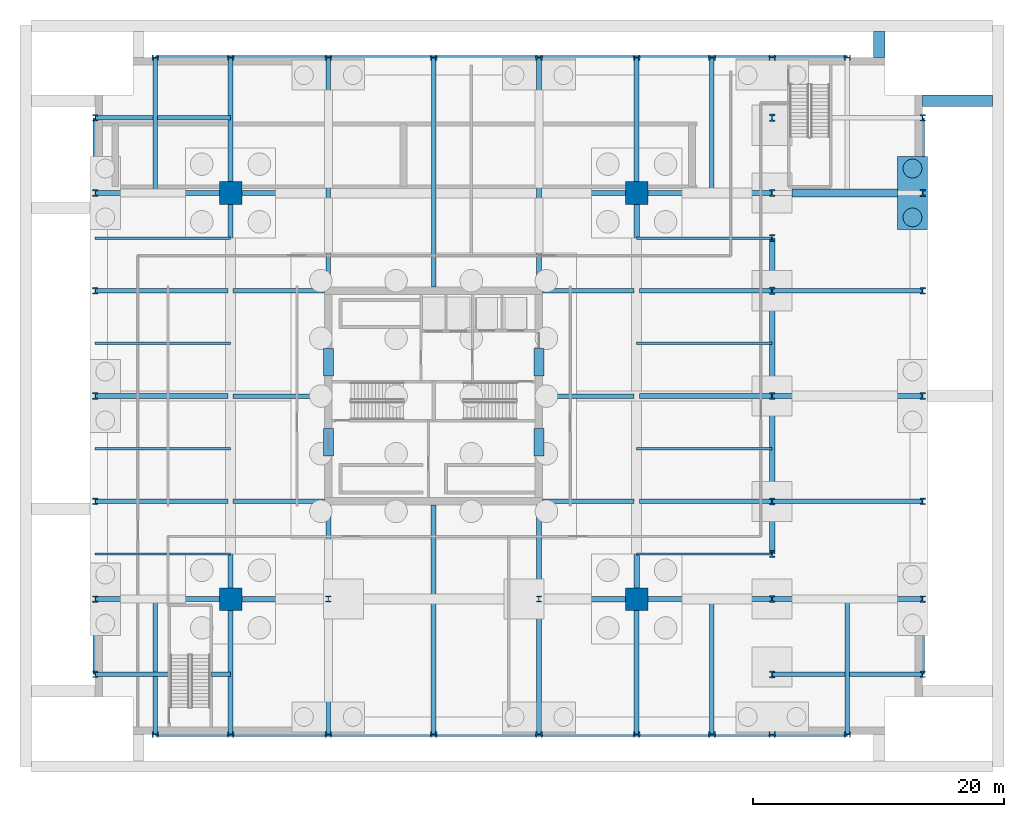
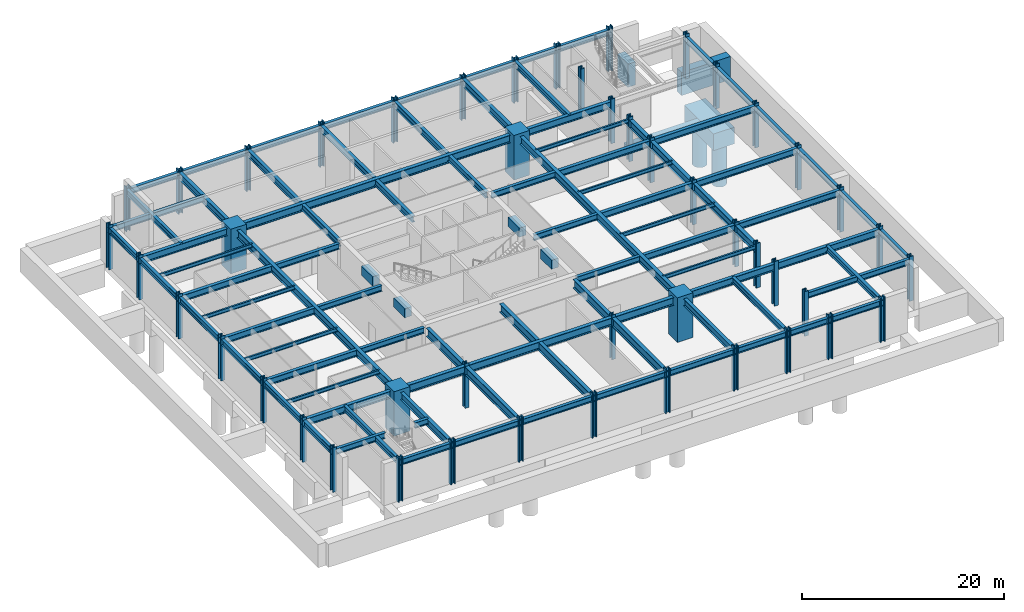
# One storey, part 2 of 9: 60 beams, 47 columns, 4 footings, 2 piles.
"""IFC4 building model written with IfcOpenShell, lengths in metres."""

from ifc_helpers import new_model, si_unit, direction, frame, frame_2d, origin, origin_2d, place, context, subcontext, project, spatial, rectangle, circle, i_section, extrude, material, material_profile, profile_set, type_object, element, save


model = new_model("IFC4")

# Units and contexts
model_context = context("Model", 3, precision=1e-05, world=origin(), true_north=direction((0.0, 1.0)))
body_context = subcontext(model_context, "Body", "Model", "MODEL_VIEW")
ifc_project = project(units=[si_unit("LENGTHUNIT", "METRE"), si_unit("AREAUNIT", "SQUARE_METRE"), si_unit("VOLUMEUNIT", "CUBIC_METRE"), si_unit("PLANEANGLEUNIT", "RADIAN"), si_unit("MASSUNIT", "GRAM", prefix="KILO")], contexts=[model_context])

# Site, building, storey
site_placement = place(None, origin())
site = spatial("IfcSite", under=ifc_project, at=site_placement, CompositionType="ELEMENT")
building_placement = place(site_placement, origin())
building = spatial("IfcBuilding", under=site, at=building_placement, Name="Drelvath Grand Hotel", CompositionType="ELEMENT")
storey_placement = place(building_placement, frame((0.0, 0.0, -10.800048828125)))
storey = spatial("IfcBuildingStorey", under=building, at=storey_placement, Name="B2", CompositionType="ELEMENT", Elevation=-10.800048828125)

# Piles
ifc_material_1 = material(Name="Concrete f'c 55 MPa", Category="concrete")
ifc_material_profile_1 = material_profile(ifc_material_1, circle(Radius=0.75, at=origin_2d()), Name="CAISSON1500")
ifc_profile_set_1 = profile_set([ifc_material_profile_1], Name="Concrete f'c 55 MPa")
pile_type = type_object("IfcPileType", Name="Bored Rock-Socketed Caisson 1500", PredefinedType="BORED", material=ifc_profile_set_1)
for number, where, z_axis, x_axis, name in (
    (1, (38.199951171875, 41.25, -2.64990234375), (0.0, 0.0, -1.0), (1.0, 0.0, 0.0), "Perimeter Caisson PL-EG-1"),
    (2, (38.199951171875, 45.14990234375, -2.64990234375), (0.0, 0.0, -1.0), (1.0, 0.0, 0.0), "Perimeter Caisson PL-EG-2"),
):
    element("IfcPile", number, at=place(storey_placement, frame(where, z_axis=z_axis, x_axis=x_axis)), inside=storey, type_object=pile_type, Name=name, PredefinedType="BORED", context=body_context, shape_type="SweptSolid", body=[
        extrude(circle(Radius=0.75, at=origin_2d()), origin(), (0.0, 0.0, 1.0), 5.050048828125),
    ])

# Footings
ifc_material_profile_2 = material_profile(ifc_material_1, rectangle(XDim=0.64990234375, YDim=0.949951171875, at=origin_2d()), Name="CB650X950")
ifc_profile_set_2 = profile_set([ifc_material_profile_2], Name="Concrete f'c 55 MPa")
footing_type_1 = type_object("IfcFootingType", Name="Foundation Tie Beam 650x950", PredefinedType="FOOTING_BEAM", material=ifc_profile_set_2)
footing_1_placement = place(storey_placement, frame((28.60009765625, 43.199951171875, -1.300048828125), z_axis=(1.0, 0.0, 0.0), x_axis=(0.0, 1.0, 0.0)))
element("IfcFooting", 3, at=footing_1_placement, inside=storey, type_object=footing_type_1, Name="Foundation Grade Tie Beam TB-PE-G", PredefinedType="FOOTING_BEAM", context=body_context, shape_type="SweptSolid", body=[
    extrude(rectangle(XDim=0.64990234375, YDim=0.949951171875, at=origin_2d()), origin(), (0.0, 0.0, 1.0), 8.39990234375),
])
footing_type_2 = type_object("IfcFootingType", Name="Perimeter Pile Cap 2400x5800x2000", PredefinedType="PILE_CAP", material=ifc_material_1)
footing_2_placement = place(storey_placement, frame((38.199951171875, 43.199951171875, -2.800048828125), z_axis=(0.0, 0.0, 1.0), x_axis=(1.0, 0.0, 0.0)))
element("IfcFooting", 4, at=footing_2_placement, inside=storey, type_object=footing_type_2, Name="Perimeter Pile Cap PC-EG", PredefinedType="PILE_CAP", context=body_context, shape_type="SweptSolid", body=[
    extrude(rectangle(XDim=2.39990234375, YDim=5.800048828125, at=origin_2d()), origin(), (0.0, 0.0, 1.0), 2.0),
])
footing_type_3 = type_object("IfcFootingType", Name="Retaining Wall Strip Footing 1400x1000", PredefinedType="STRIP_FOOTING", material=ifc_material_1)
footing_3_placement = place(storey_placement, frame((39.0, 50.550048828125, -2.800048828125), z_axis=(0.0, 0.0, 1.0), x_axis=(1.0, 0.0, 0.0)))
element("IfcFooting", 5, at=footing_3_placement, inside=storey, type_object=footing_type_3, Name="Sidewalk Frost Strip Footing CURB-E-Y54", PredefinedType="STRIP_FOOTING", context=body_context, shape_type="SweptSolid", body=[
    extrude(rectangle(XDim=5.60009765625, YDim=0.89990234375, at=frame_2d((2.800048828125, 0.0))), origin(), (0.0, 0.0, 1.0), 2.800048828125),
])
footing_4_placement = place(storey_placement, frame((35.550048828125, 54.0, -2.800048828125), z_axis=(0.0, 0.0, 1.0), x_axis=(0.0, 1.0, 0.0)))
element("IfcFooting", 6, at=footing_4_placement, inside=storey, type_object=footing_type_3, Name="Sidewalk Frost Strip Footing CURB-N-X2", PredefinedType="STRIP_FOOTING", context=body_context, shape_type="SweptSolid", body=[
    extrude(rectangle(XDim=2.10009765625, YDim=0.89990234375, at=frame_2d((1.050048828125, 0.0))), origin(), (0.0, 0.0, 1.0), 2.800048828125),
])

# Columns
ifc_material_2 = material(Name="Concrete f'c 70 MPa", Category="concrete")
ifc_material_profile_3 = material_profile(ifc_material_2, rectangle(XDim=1.800048828125, YDim=1.800048828125, at=origin_2d()), Name="MC1800X1800")
ifc_profile_set_3 = profile_set([ifc_material_profile_3], Name="Concrete f'c 70 MPa")
column_type_1 = type_object("IfcColumnType", Name="Composite Mega Column MC1800X1800", PredefinedType="COLUMN", material=ifc_profile_set_3)
for number, where, z_axis, x_axis, name in (
    (7, (-16.199951171875, 10.800048828125, 0.0), (0.0, 0.0, 1.0), (1.0, 0.0, 0.0), "B2 Composite Mega Column MC-SW"),
    (8, (16.199951171875, 10.800048828125, 0.0), (0.0, 0.0, 1.0), (1.0, 0.0, 0.0), "B2 Composite Mega Column MC-SE"),
    (9, (-16.199951171875, 43.199951171875, 0.0), (0.0, 0.0, 1.0), (1.0, 0.0, 0.0), "B2 Composite Mega Column MC-NW"),
    (10, (16.199951171875, 43.199951171875, 0.0), (0.0, 0.0, 1.0), (1.0, 0.0, 0.0), "B2 Composite Mega Column MC-NE"),
):
    element("IfcColumn", number, at=place(storey_placement, frame(where, z_axis=z_axis, x_axis=x_axis)), inside=storey, type_object=column_type_1, Name=name, PredefinedType="COLUMN", context=body_context, shape_type="SweptSolid", body=[
        extrude(rectangle(XDim=1.800048828125, YDim=1.800048828125, at=origin_2d()), origin(), (0.0, 0.0, 1.0), 5.400146484375),
    ])
ifc_material_3 = material(Name="Steel ASTM A913 Gr 65", Category="steel")
ifc_material_profile_4 = material_profile(ifc_material_3, i_section(OverallWidth=0.424072265625, OverallDepth=0.47412109375, WebThickness=0.047607421875, FlangeThickness=0.0771484375, FilletRadius=0.030029296875, at=origin_2d()), Name="W14X426")
ifc_profile_set_4 = profile_set([ifc_material_profile_4], Name="Steel ASTM A913 Gr 65")
column_type_2 = type_object("IfcColumnType", Name="Perimeter Steel Column W14X426", PredefinedType="COLUMN", material=ifc_profile_set_4)
for number, where, z_axis, x_axis, name in (
    (11, (-8.39990234375, 10.800048828125, 0.0), (0.0, 0.0, 1.0), (1.0, 0.0, 0.0), "B2 Structural Column PCP4-C"),
    (12, (8.39990234375, 10.800048828125, 0.0), (0.0, 0.0, 1.0), (1.0, 0.0, 0.0), "B2 Structural Column PCP6-C"),
):
    element("IfcColumn", number, at=place(storey_placement, frame(where, z_axis=z_axis, x_axis=x_axis)), inside=storey, type_object=column_type_2, Name=name, PredefinedType="COLUMN", context=body_context, shape_type="SweptSolid", body=[
        extrude(i_section(OverallWidth=0.424072265625, OverallDepth=0.47412109375, WebThickness=0.047607421875, FlangeThickness=0.0771484375, FilletRadius=0.030029296875, at=origin_2d()), origin(), (0.0, 0.0, 1.0), 5.400146484375),
    ])
ifc_material_profile_5 = material_profile(ifc_material_3, i_section(OverallWidth=0.44189453125, OverallDepth=0.531494140625, WebThickness=0.06591796875, FlangeThickness=0.105712890625, FilletRadius=0.030029296875, at=origin_2d()), Name="W14X605")
ifc_profile_set_5 = profile_set([ifc_material_profile_5], Name="Steel ASTM A913 Gr 65")
column_type_3 = type_object("IfcColumnType", Name="Perimeter Steel Column W14X605", PredefinedType="COLUMN", material=ifc_profile_set_5)
for number, where, z_axis, x_axis, name in (
    (13, (-27.0, 4.800048828125, 0.0), (0.0, 0.0, 1.0), (1.0, 0.0, 0.0), "B2 Structural Column PCW-B"),
    (14, (39.0, 4.800048828125, 0.0), (0.0, 0.0, 1.0), (1.0, 0.0, 0.0), "B2 Structural Column PCE-B"),
    (15, (-27.0, 10.800048828125, 0.0), (0.0, 0.0, 1.0), (1.0, 0.0, 0.0), "B2 Structural Column PCW-C"),
    (16, (39.0, 10.800048828125, 0.0), (0.0, 0.0, 1.0), (1.0, 0.0, 0.0), "B2 Structural Column PCE-C"),
    (17, (-27.0, 18.60009765625, 0.0), (0.0, 0.0, 1.0), (1.0, 0.0, 0.0), "B2 Structural Column PCW-D"),
    (18, (39.0, 18.60009765625, 0.0), (0.0, 0.0, 1.0), (1.0, 0.0, 0.0), "B2 Structural Column PCE-D"),
    (19, (-27.0, 27.0, 0.0), (0.0, 0.0, 1.0), (1.0, 0.0, 0.0), "B2 Structural Column PCW-E"),
    (20, (39.0, 27.0, 0.0), (0.0, 0.0, 1.0), (1.0, 0.0, 0.0), "B2 Structural Column PCE-E"),
    (21, (-27.0, 35.39990234375, 0.0), (0.0, 0.0, 1.0), (1.0, 0.0, 0.0), "B2 Structural Column PCW-F"),
    (22, (39.0, 35.39990234375, 0.0), (0.0, 0.0, 1.0), (1.0, 0.0, 0.0), "B2 Structural Column PCE-F"),
    (23, (-27.0, 43.199951171875, 0.0), (0.0, 0.0, 1.0), (1.0, 0.0, 0.0), "B2 Structural Column PCW-G"),
    (24, (39.0, 43.199951171875, 0.0), (0.0, 0.0, 1.0), (1.0, 0.0, 0.0), "B2 Structural Column PCE-G"),
    (25, (-27.0, 49.199951171875, 0.0), (0.0, 0.0, 1.0), (1.0, 0.0, 0.0), "B2 Structural Column PCW-H"),
    (26, (39.0, 49.199951171875, 0.0), (0.0, 0.0, 1.0), (1.0, 0.0, 0.0), "B2 Structural Column PCE-H"),
    (27, (-22.199951171875, 0.0, 0.0), (0.0, 0.0, 1.0), (0.0, 1.0, 0.0), "B2 Structural Column PCS-2"),
    (28, (-22.199951171875, 54.0, 0.0), (0.0, 0.0, 1.0), (0.0, 1.0, 0.0), "B2 Structural Column PCN-2"),
    (29, (-16.199951171875, 0.0, 0.0), (0.0, 0.0, 1.0), (0.0, 1.0, 0.0), "B2 Structural Column PCS-3"),
    (30, (-16.199951171875, 54.0, 0.0), (0.0, 0.0, 1.0), (0.0, 1.0, 0.0), "B2 Structural Column PCN-3"),
    (31, (-8.39990234375, 0.0, 0.0), (0.0, 0.0, 1.0), (0.0, 1.0, 0.0), "B2 Structural Column PCS-4"),
    (32, (-8.39990234375, 54.0, 0.0), (0.0, 0.0, 1.0), (0.0, 1.0, 0.0), "B2 Structural Column PCN-4"),
    (33, (0.0, 0.0, 0.0), (0.0, 0.0, 1.0), (0.0, 1.0, 0.0), "B2 Structural Column PCS-5"),
    (34, (0.0, 54.0, 0.0), (0.0, 0.0, 1.0), (0.0, 1.0, 0.0), "B2 Structural Column PCN-5"),
    (35, (8.39990234375, 0.0, 0.0), (0.0, 0.0, 1.0), (0.0, 1.0, 0.0), "B2 Structural Column PCS-6"),
    (36, (8.39990234375, 54.0, 0.0), (0.0, 0.0, 1.0), (0.0, 1.0, 0.0), "B2 Structural Column PCN-6"),
    (37, (16.199951171875, 0.0, 0.0), (0.0, 0.0, 1.0), (0.0, 1.0, 0.0), "B2 Structural Column PCS-7"),
    (38, (16.199951171875, 54.0, 0.0), (0.0, 0.0, 1.0), (0.0, 1.0, 0.0), "B2 Structural Column PCN-7"),
    (39, (22.199951171875, 0.0, 0.0), (0.0, 0.0, 1.0), (0.0, 1.0, 0.0), "B2 Structural Column PCS-8"),
    (40, (22.199951171875, 54.0, 0.0), (0.0, 0.0, 1.0), (0.0, 1.0, 0.0), "B2 Structural Column PCN-8"),
    (41, (27.0, 0.0, 0.0), (0.0, 0.0, 1.0), (0.0, 1.0, 0.0), "B2 Structural Column PCS-9"),
    (42, (27.0, 54.0, 0.0), (0.0, 0.0, 1.0), (0.0, 1.0, 0.0), "B2 Structural Column PCN-9"),
    (43, (33.0, 0.0, 0.0), (0.0, 0.0, 1.0), (0.0, 1.0, 0.0), "B2 Structural Column PCS-10"),
    (44, (33.0, 54.0, 0.0), (0.0, 0.0, 1.0), (0.0, 1.0, 0.0), "B2 Structural Column PCN-10"),
):
    element("IfcColumn", number, at=place(storey_placement, frame(where, z_axis=z_axis, x_axis=x_axis)), inside=storey, type_object=column_type_3, Name=name, PredefinedType="COLUMN", context=body_context, shape_type="SweptSolid", body=[
        extrude(i_section(OverallWidth=0.44189453125, OverallDepth=0.531494140625, WebThickness=0.06591796875, FlangeThickness=0.105712890625, FilletRadius=0.030029296875, at=origin_2d()), origin(), (0.0, 0.0, 1.0), 5.400146484375),
    ])
ifc_material_profile_6 = material_profile(ifc_material_3, i_section(OverallWidth=0.454345703125, OverallDepth=0.569091796875, WebThickness=0.077880859375, FlangeThickness=0.124755859375, FilletRadius=0.030029296875, at=origin_2d()), Name="W14X730")
ifc_profile_set_6 = profile_set([ifc_material_profile_6], Name="Steel ASTM A913 Gr 65")
column_type_4 = type_object("IfcColumnType", Name="Perimeter Steel Column W14X730", PredefinedType="COLUMN", material=ifc_profile_set_6)
for number, where, z_axis, x_axis, name in (
    (45, (27.0, 4.800048828125, 0.0), (0.0, 0.0, 1.0), (1.0, 0.0, 0.0), "B2 Structural Column PCP9-B"),
    (46, (27.0, 10.800048828125, 0.0), (0.0, 0.0, 1.0), (1.0, 0.0, 0.0), "B2 Structural Column PCP9-C"),
    (47, (27.0, 14.39990234375, 0.0), (0.0, 0.0, 1.0), (1.0, 0.0, 0.0), "B2 Structural Column PCP9-AT1"),
    (48, (27.0, 39.60009765625, 0.0), (0.0, 0.0, 1.0), (1.0, 0.0, 0.0), "B2 Structural Column PCP9-AT2"),
    (49, (27.0, 43.199951171875, 0.0), (0.0, 0.0, 1.0), (1.0, 0.0, 0.0), "B2 Structural Column PCP9-G"),
    (50, (27.0, 49.199951171875, 0.0), (0.0, 0.0, 1.0), (1.0, 0.0, 0.0), "B2 Structural Column PCP9-H"),
    (51, (27.0, 18.60009765625, 0.0), (0.0, 0.0, 1.0), (1.0, 0.0, 0.0), "B2 Structural Column PCP9-D"),
    (52, (27.0, 27.0, 0.0), (0.0, 0.0, 1.0), (1.0, 0.0, 0.0), "B2 Structural Column PCP9-E"),
    (53, (27.0, 35.39990234375, 0.0), (0.0, 0.0, 1.0), (1.0, 0.0, 0.0), "B2 Structural Column PCP9-F"),
):
    element("IfcColumn", number, at=place(storey_placement, frame(where, z_axis=z_axis, x_axis=x_axis)), inside=storey, type_object=column_type_4, Name=name, PredefinedType="COLUMN", context=body_context, shape_type="SweptSolid", body=[
        extrude(i_section(OverallWidth=0.454345703125, OverallDepth=0.569091796875, WebThickness=0.077880859375, FlangeThickness=0.124755859375, FilletRadius=0.030029296875, at=origin_2d()), origin(), (0.0, 0.0, 1.0), 5.400146484375),
    ])

# Beams
ifc_material_4 = material(Name="Steel ASTM A992 Gr 50", Category="steel")
ifc_material_profile_7 = material_profile(ifc_material_4, i_section(OverallWidth=0.19140625, OverallDepth=0.4599609375, WebThickness=0.010009765625, FlangeThickness=0.01611328125, FilletRadius=0.01611328125, at=origin_2d()), Name="W18X55")
ifc_profile_set_7 = profile_set([ifc_material_profile_7], Name="Steel ASTM A992 Gr 50")
beam_type_1 = type_object("IfcBeamType", Name="Composite Floor Joist W18X55", PredefinedType="JOIST", material=ifc_profile_set_7)
for number, where, z_axis, x_axis, name in (
    (54, (-27.0, 22.800048828125, 4.820068359375), (1.0, 0.0, 0.0), (0.0, 1.0, 0.0), "B2 West Composite Joist J1"),
    (55, (16.199951171875, 22.800048828125, 4.820068359375), (1.0, 0.0, 0.0), (0.0, 1.0, 0.0), "B2 East Composite Joist J1"),
    (56, (-27.0, 31.199951171875, 4.820068359375), (1.0, 0.0, 0.0), (0.0, 1.0, 0.0), "B2 West Composite Joist J2"),
    (57, (16.199951171875, 31.199951171875, 4.820068359375), (1.0, 0.0, 0.0), (0.0, 1.0, 0.0), "B2 East Composite Joist J2"),
    (58, (-27.0, 14.39990234375, 4.820068359375), (1.0, 0.0, 0.0), (0.0, 1.0, 0.0), "B2 West Composite Joist J3"),
    (59, (16.199951171875, 14.39990234375, 4.820068359375), (1.0, 0.0, 0.0), (0.0, 1.0, 0.0), "B2 East Composite Joist J3"),
    (60, (-27.0, 39.60009765625, 4.820068359375), (1.0, 0.0, 0.0), (0.0, 1.0, 0.0), "B2 West Composite Joist J4"),
    (61, (16.199951171875, 39.60009765625, 4.820068359375), (1.0, 0.0, 0.0), (0.0, 1.0, 0.0), "B2 East Composite Joist J4"),
):
    element("IfcBeam", number, at=place(storey_placement, frame(where, z_axis=z_axis, x_axis=x_axis)), inside=storey, type_object=beam_type_1, Name=name, PredefinedType="JOIST", context=body_context, shape_type="SweptSolid", body=[
        extrude(i_section(OverallWidth=0.19140625, OverallDepth=0.4599609375, WebThickness=0.010009765625, FlangeThickness=0.01611328125, FilletRadius=0.01611328125, at=origin_2d()), origin(), (0.0, 0.0, 1.0), 10.800048828125),
    ])
ifc_material_profile_8 = material_profile(ifc_material_2, rectangle(XDim=0.800048828125, YDim=1.10009765625, at=origin_2d()), Name="CB800X1100")
ifc_profile_set_8 = profile_set([ifc_material_profile_8], Name="Concrete f'c 70 MPa")
beam_type_2 = type_object("IfcBeamType", Name="Core Coupling Lintel CB800X1100", PredefinedType="LINTEL", material=ifc_profile_set_8)
for number, where, z_axis, x_axis, name in (
    (62, (-8.39990234375, 22.199951171875, 4.5), (0.0, 1.0, 0.0), (-1.0, 0.0, 0.0), "B2 Core Coupling Lintel WS"),
    (63, (-8.39990234375, 28.60009765625, 4.5), (0.0, 1.0, 0.0), (-1.0, 0.0, 0.0), "B2 Core Coupling Lintel WN"),
    (64, (8.39990234375, 22.199951171875, 4.5), (0.0, 1.0, 0.0), (-1.0, 0.0, 0.0), "B2 Core Coupling Lintel ES"),
    (65, (8.39990234375, 28.60009765625, 4.5), (0.0, 1.0, 0.0), (-1.0, 0.0, 0.0), "B2 Core Coupling Lintel EN"),
):
    element("IfcBeam", number, at=place(storey_placement, frame(where, z_axis=z_axis, x_axis=x_axis)), inside=storey, type_object=beam_type_2, Name=name, PredefinedType="LINTEL", context=body_context, shape_type="SweptSolid", body=[
        extrude(rectangle(XDim=0.800048828125, YDim=1.10009765625, at=origin_2d()), origin(), (0.0, 0.0, 1.0), 2.199951171875),
    ])
ifc_material_profile_9 = material_profile(ifc_material_4, i_section(OverallWidth=0.354736328125, OverallDepth=0.695556640625, WebThickness=0.015380859375, FlangeThickness=0.025146484375, FilletRadius=0.02392578125, at=origin_2d()), Name="W27X146")
ifc_profile_set_9 = profile_set([ifc_material_profile_9], Name="Steel ASTM A992 Gr 50")
beam_type_3 = type_object("IfcBeamType", Name="Perimeter Spandrel Beam W27X146", PredefinedType="SPANDREL", material=ifc_profile_set_9)
for number, where, z_axis, x_axis, name in (
    (66, (-27.0, 4.800048828125, 4.702392578125), (0.0, 1.0, 0.0), (-1.0, 0.0, 0.0), "B2 Podium Perimeter Spandrel SPW1"),
    (67, (39.0, 4.800048828125, 4.702392578125), (0.0, 1.0, 0.0), (-1.0, 0.0, 0.0), "B2 Podium Perimeter Spandrel SPE1"),
):
    element("IfcBeam", number, at=place(storey_placement, frame(where, z_axis=z_axis, x_axis=x_axis)), inside=storey, type_object=beam_type_3, Name=name, PredefinedType="SPANDREL", context=body_context, shape_type="SweptSolid", body=[
        extrude(i_section(OverallWidth=0.354736328125, OverallDepth=0.695556640625, WebThickness=0.015380859375, FlangeThickness=0.025146484375, FilletRadius=0.02392578125, at=origin_2d()), origin(), (0.0, 0.0, 1.0), 44.39990234375),
    ])
for number, where, z_axis, x_axis, name in (
    (68, (-22.199951171875, 0.0, 4.702392578125), (1.0, 0.0, 0.0), (0.0, 1.0, 0.0), "B2 Podium Perimeter Spandrel SPS1"),
    (69, (-22.199951171875, 54.0, 4.702392578125), (1.0, 0.0, 0.0), (0.0, 1.0, 0.0), "B2 Podium Perimeter Spandrel SPN1"),
):
    element("IfcBeam", number, at=place(storey_placement, frame(where, z_axis=z_axis, x_axis=x_axis)), inside=storey, type_object=beam_type_3, Name=name, PredefinedType="SPANDREL", context=body_context, shape_type="SweptSolid", body=[
        extrude(i_section(OverallWidth=0.354736328125, OverallDepth=0.695556640625, WebThickness=0.015380859375, FlangeThickness=0.025146484375, FilletRadius=0.02392578125, at=origin_2d()), origin(), (0.0, 0.0, 1.0), 55.199951171875),
    ])
ifc_material_profile_10 = material_profile(ifc_material_4, i_section(OverallWidth=0.354736328125, OverallDepth=0.695556640625, WebThickness=0.015380859375, FlangeThickness=0.025146484375, FilletRadius=0.02392578125, at=origin_2d()), Name="W27X146")
ifc_profile_set_10 = profile_set([ifc_material_profile_10], Name="Steel ASTM A992 Gr 50")
beam_type_4 = type_object("IfcBeamType", Name="Primary Floor Girder W27X146", PredefinedType="BEAM", material=ifc_profile_set_10)
for number, where, z_axis, x_axis, name in (
    (70, (-15.988525390625, 18.60009765625, 4.702392578125), (1.0, 0.0, 0.0), (0.0, 1.0, 0.0), "B2 West Core Girder D"),
    (71, (8.699951171875, 18.60009765625, 4.702392578125), (1.0, 0.0, 0.0), (0.0, 1.0, 0.0), "B2 East Core Girder D"),
    (72, (-15.988525390625, 27.0, 4.702392578125), (1.0, 0.0, 0.0), (0.0, 1.0, 0.0), "B2 West Core Girder E"),
    (73, (8.699951171875, 27.0, 4.702392578125), (1.0, 0.0, 0.0), (0.0, 1.0, 0.0), "B2 East Core Girder E"),
    (74, (-15.988525390625, 35.39990234375, 4.702392578125), (1.0, 0.0, 0.0), (0.0, 1.0, 0.0), "B2 West Core Girder F"),
    (75, (8.699951171875, 35.39990234375, 4.702392578125), (1.0, 0.0, 0.0), (0.0, 1.0, 0.0), "B2 East Core Girder F"),
):
    element("IfcBeam", number, at=place(storey_placement, frame(where, z_axis=z_axis, x_axis=x_axis)), inside=storey, type_object=beam_type_4, Name=name, PredefinedType="BEAM", context=body_context, shape_type="SweptSolid", body=[
        extrude(i_section(OverallWidth=0.354736328125, OverallDepth=0.695556640625, WebThickness=0.015380859375, FlangeThickness=0.025146484375, FilletRadius=0.02392578125, at=origin_2d()), origin(), (0.0, 0.0, 1.0), 7.28857421875),
    ])
beam_1_placement = place(storey_placement, frame((-27.0, 4.800048828125, 4.702392578125), z_axis=(1.0, 0.0, 0.0), x_axis=(0.0, 1.0, 0.0)))
element("IfcBeam", 76, at=beam_1_placement, inside=storey, type_object=beam_type_4, Name="B2 West Corner Tie B1", PredefinedType="BEAM", context=body_context, shape_type="SweptSolid", body=[
    extrude(i_section(OverallWidth=0.354736328125, OverallDepth=0.695556640625, WebThickness=0.015380859375, FlangeThickness=0.025146484375, FilletRadius=0.02392578125, at=origin_2d()), origin(), (0.0, 0.0, 1.0), 5.89990234375),
])
beam_2_placement = place(storey_placement, frame((-17.739990234375, 4.800048828125, 4.702392578125), z_axis=(1.0, 0.0, 0.0), x_axis=(0.0, 1.0, 0.0)))
element("IfcBeam", 77, at=beam_2_placement, inside=storey, type_object=beam_type_4, Name="B2 West Corner Tie B2", PredefinedType="BEAM", context=body_context, shape_type="SweptSolid", body=[
    extrude(i_section(OverallWidth=0.354736328125, OverallDepth=0.695556640625, WebThickness=0.015380859375, FlangeThickness=0.025146484375, FilletRadius=0.02392578125, at=origin_2d()), origin(), (0.0, 0.0, 1.0), 1.5400390625),
])
beam_3_placement = place(storey_placement, frame((27.0, 4.800048828125, 4.702392578125), z_axis=(1.0, 0.0, 0.0), x_axis=(0.0, 1.0, 0.0)))
element("IfcBeam", 78, at=beam_3_placement, inside=storey, type_object=beam_type_4, Name="B2 East Corner Tie B", PredefinedType="BEAM", context=body_context, shape_type="SweptSolid", body=[
    extrude(i_section(OverallWidth=0.354736328125, OverallDepth=0.695556640625, WebThickness=0.015380859375, FlangeThickness=0.025146484375, FilletRadius=0.02392578125, at=origin_2d()), origin(), (0.0, 0.0, 1.0), 12.0),
])
for number, where, z_axis, x_axis, name in (
    (79, (-27.0, 49.199951171875, 4.702392578125), (1.0, 0.0, 0.0), (0.0, 1.0, 0.0), "B2 West Corner Tie H"),
    (80, (-22.199951171875, 0.0, 4.702392578125), (0.0, 1.0, 0.0), (-1.0, 0.0, 0.0), "B2 South Corner Tie 2"),
    (81, (-22.199951171875, 43.199951171875, 4.702392578125), (0.0, 1.0, 0.0), (-1.0, 0.0, 0.0), "B2 North Corner Tie 2"),
    (82, (22.199951171875, 0.0, 4.702392578125), (0.0, 1.0, 0.0), (-1.0, 0.0, 0.0), "B2 South Corner Tie 8"),
    (83, (22.199951171875, 43.199951171875, 4.702392578125), (0.0, 1.0, 0.0), (-1.0, 0.0, 0.0), "B2 North Corner Tie 8"),
    (84, (33.0, 0.0, 4.702392578125), (0.0, 1.0, 0.0), (-1.0, 0.0, 0.0), "B2 South Corner Tie 10"),
):
    element("IfcBeam", number, at=place(storey_placement, frame(where, z_axis=z_axis, x_axis=x_axis)), inside=storey, type_object=beam_type_4, Name=name, PredefinedType="BEAM", context=body_context, shape_type="SweptSolid", body=[
        extrude(i_section(OverallWidth=0.354736328125, OverallDepth=0.695556640625, WebThickness=0.015380859375, FlangeThickness=0.025146484375, FilletRadius=0.02392578125, at=origin_2d()), origin(), (0.0, 0.0, 1.0), 10.800048828125),
    ])
ifc_material_profile_11 = material_profile(ifc_material_4, i_section(OverallWidth=0.380615234375, OverallDepth=0.773193359375, WebThickness=0.0166015625, FlangeThickness=0.027099609375, FilletRadius=0.02490234375, at=origin_2d()), Name="W30X173")
ifc_profile_set_11 = profile_set([ifc_material_profile_11], Name="Steel ASTM A992 Gr 50")
beam_type_5 = type_object("IfcBeamType", Name="Primary Floor Girder W30X173", PredefinedType="BEAM", material=ifc_profile_set_11)
for number, where, z_axis, x_axis, name in (
    (85, (-8.39990234375, 35.699951171875, 4.663330078125), (0.0, 1.0, 0.0), (-1.0, 0.0, 0.0), "B2 North Span Girder Grid 4"),
    (86, (0.0, 35.699951171875, 4.663330078125), (0.0, 1.0, 0.0), (-1.0, 0.0, 0.0), "B2 North Span Girder Grid 5"),
    (87, (8.39990234375, 35.699951171875, 4.663330078125), (0.0, 1.0, 0.0), (-1.0, 0.0, 0.0), "B2 North Span Girder Grid 6"),
):
    element("IfcBeam", number, at=place(storey_placement, frame(where, z_axis=z_axis, x_axis=x_axis)), inside=storey, type_object=beam_type_5, Name=name, PredefinedType="BEAM", context=body_context, shape_type="SweptSolid", body=[
        extrude(i_section(OverallWidth=0.380615234375, OverallDepth=0.773193359375, WebThickness=0.0166015625, FlangeThickness=0.027099609375, FilletRadius=0.02490234375, at=origin_2d()), origin(), (0.0, 0.0, 1.0), 18.300048828125),
    ])
for number, where, z_axis, x_axis, name in (
    (88, (-27.0, 18.60009765625, 4.663330078125), (1.0, 0.0, 0.0), (0.0, 1.0, 0.0), "B2 West Bay Girder D"),
    (89, (16.41162109375, 18.60009765625, 4.663330078125), (1.0, 0.0, 0.0), (0.0, 1.0, 0.0), "B2 East Bay Girder D"),
):
    element("IfcBeam", number, at=place(storey_placement, frame(where, z_axis=z_axis, x_axis=x_axis)), inside=storey, type_object=beam_type_5, Name=name, PredefinedType="BEAM", context=body_context, shape_type="SweptSolid", body=[
        extrude(i_section(OverallWidth=0.380615234375, OverallDepth=0.773193359375, WebThickness=0.0166015625, FlangeThickness=0.027099609375, FilletRadius=0.02490234375, at=origin_2d()), origin(), (0.0, 0.0, 1.0), 10.58837890625),
    ])
beam_4_placement = place(storey_placement, frame((27.0, 18.60009765625, 4.663330078125), z_axis=(1.0, 0.0, 0.0), x_axis=(0.0, 1.0, 0.0)))
element("IfcBeam", 90, at=beam_4_placement, inside=storey, type_object=beam_type_5, Name="B2 Atrium Floor Girder D", PredefinedType="BEAM", context=body_context, shape_type="SweptSolid", body=[
    extrude(i_section(OverallWidth=0.380615234375, OverallDepth=0.773193359375, WebThickness=0.0166015625, FlangeThickness=0.027099609375, FilletRadius=0.02490234375, at=origin_2d()), origin(), (0.0, 0.0, 1.0), 12.0),
])
for number, where, z_axis, x_axis, name in (
    (91, (-27.0, 27.0, 4.663330078125), (1.0, 0.0, 0.0), (0.0, 1.0, 0.0), "B2 West Bay Girder E"),
    (92, (16.41162109375, 27.0, 4.663330078125), (1.0, 0.0, 0.0), (0.0, 1.0, 0.0), "B2 East Bay Girder E"),
):
    element("IfcBeam", number, at=place(storey_placement, frame(where, z_axis=z_axis, x_axis=x_axis)), inside=storey, type_object=beam_type_5, Name=name, PredefinedType="BEAM", context=body_context, shape_type="SweptSolid", body=[
        extrude(i_section(OverallWidth=0.380615234375, OverallDepth=0.773193359375, WebThickness=0.0166015625, FlangeThickness=0.027099609375, FilletRadius=0.02490234375, at=origin_2d()), origin(), (0.0, 0.0, 1.0), 10.58837890625),
    ])
beam_5_placement = place(storey_placement, frame((27.0, 27.0, 4.663330078125), z_axis=(1.0, 0.0, 0.0), x_axis=(0.0, 1.0, 0.0)))
element("IfcBeam", 93, at=beam_5_placement, inside=storey, type_object=beam_type_5, Name="B2 Atrium Floor Girder E", PredefinedType="BEAM", context=body_context, shape_type="SweptSolid", body=[
    extrude(i_section(OverallWidth=0.380615234375, OverallDepth=0.773193359375, WebThickness=0.0166015625, FlangeThickness=0.027099609375, FilletRadius=0.02490234375, at=origin_2d()), origin(), (0.0, 0.0, 1.0), 12.0),
])
for number, where, z_axis, x_axis, name in (
    (94, (-27.0, 35.39990234375, 4.663330078125), (1.0, 0.0, 0.0), (0.0, 1.0, 0.0), "B2 West Bay Girder F"),
    (95, (16.41162109375, 35.39990234375, 4.663330078125), (1.0, 0.0, 0.0), (0.0, 1.0, 0.0), "B2 East Bay Girder F"),
):
    element("IfcBeam", number, at=place(storey_placement, frame(where, z_axis=z_axis, x_axis=x_axis)), inside=storey, type_object=beam_type_5, Name=name, PredefinedType="BEAM", context=body_context, shape_type="SweptSolid", body=[
        extrude(i_section(OverallWidth=0.380615234375, OverallDepth=0.773193359375, WebThickness=0.0166015625, FlangeThickness=0.027099609375, FilletRadius=0.02490234375, at=origin_2d()), origin(), (0.0, 0.0, 1.0), 10.58837890625),
    ])
beam_6_placement = place(storey_placement, frame((27.0, 35.39990234375, 4.663330078125), z_axis=(1.0, 0.0, 0.0), x_axis=(0.0, 1.0, 0.0)))
element("IfcBeam", 96, at=beam_6_placement, inside=storey, type_object=beam_type_5, Name="B2 Atrium Floor Girder F", PredefinedType="BEAM", context=body_context, shape_type="SweptSolid", body=[
    extrude(i_section(OverallWidth=0.380615234375, OverallDepth=0.773193359375, WebThickness=0.0166015625, FlangeThickness=0.027099609375, FilletRadius=0.02490234375, at=origin_2d()), origin(), (0.0, 0.0, 1.0), 12.0),
])
ifc_material_profile_12 = material_profile(ifc_material_4, i_section(OverallWidth=0.39990234375, OverallDepth=0.85546875, WebThickness=0.018310546875, FlangeThickness=0.029296875, FilletRadius=0.02490234375, at=origin_2d()), Name="W33X201")
ifc_profile_set_12 = profile_set([ifc_material_profile_12], Name="Steel ASTM A992 Gr 50")
beam_type_6 = type_object("IfcBeamType", Name="Primary Floor Girder W33X201", PredefinedType="BEAM", material=ifc_profile_set_12)
for number, where, z_axis, x_axis, name in (
    (97, (-27.0, 10.800048828125, 4.622314453125), (1.0, 0.0, 0.0), (0.0, 1.0, 0.0), "B2 West Podium Girder C"),
    (98, (16.199951171875, 10.800048828125, 4.622314453125), (1.0, 0.0, 0.0), (0.0, 1.0, 0.0), "B2 East Podium Girder 1 C"),
):
    element("IfcBeam", number, at=place(storey_placement, frame(where, z_axis=z_axis, x_axis=x_axis)), inside=storey, type_object=beam_type_6, Name=name, PredefinedType="BEAM", context=body_context, shape_type="SweptSolid", body=[
        extrude(i_section(OverallWidth=0.39990234375, OverallDepth=0.85546875, WebThickness=0.018310546875, FlangeThickness=0.029296875, FilletRadius=0.02490234375, at=origin_2d()), origin(), (0.0, 0.0, 1.0), 10.800048828125),
    ])
beam_7_placement = place(storey_placement, frame((27.0, 10.800048828125, 4.622314453125), z_axis=(1.0, 0.0, 0.0), x_axis=(0.0, 1.0, 0.0)))
element("IfcBeam", 99, at=beam_7_placement, inside=storey, type_object=beam_type_6, Name="B2 East Podium Girder 2 C", PredefinedType="BEAM", context=body_context, shape_type="SweptSolid", body=[
    extrude(i_section(OverallWidth=0.39990234375, OverallDepth=0.85546875, WebThickness=0.018310546875, FlangeThickness=0.029296875, FilletRadius=0.02490234375, at=origin_2d()), origin(), (0.0, 0.0, 1.0), 12.0),
])
for number, where, z_axis, x_axis, name in (
    (100, (-27.0, 43.199951171875, 4.622314453125), (1.0, 0.0, 0.0), (0.0, 1.0, 0.0), "B2 West Podium Girder G"),
    (101, (16.199951171875, 43.199951171875, 4.622314453125), (1.0, 0.0, 0.0), (0.0, 1.0, 0.0), "B2 East Podium Girder 1 G"),
    (102, (-16.199951171875, 0.0, 4.622314453125), (0.0, 1.0, 0.0), (-1.0, 0.0, 0.0), "B2 South Podium Girder 3"),
    (103, (-16.199951171875, 43.199951171875, 4.622314453125), (0.0, 1.0, 0.0), (-1.0, 0.0, 0.0), "B2 North Podium Girder 3"),
    (104, (16.199951171875, 0.0, 4.622314453125), (0.0, 1.0, 0.0), (-1.0, 0.0, 0.0), "B2 South Podium Girder 7"),
    (105, (16.199951171875, 43.199951171875, 4.622314453125), (0.0, 1.0, 0.0), (-1.0, 0.0, 0.0), "B2 North Podium Girder 7"),
):
    element("IfcBeam", number, at=place(storey_placement, frame(where, z_axis=z_axis, x_axis=x_axis)), inside=storey, type_object=beam_type_6, Name=name, PredefinedType="BEAM", context=body_context, shape_type="SweptSolid", body=[
        extrude(i_section(OverallWidth=0.39990234375, OverallDepth=0.85546875, WebThickness=0.018310546875, FlangeThickness=0.029296875, FilletRadius=0.02490234375, at=origin_2d()), origin(), (0.0, 0.0, 1.0), 10.800048828125),
    ])
ifc_material_profile_13 = material_profile(ifc_material_4, i_section(OverallWidth=0.423095703125, OverallDepth=0.9482421875, WebThickness=0.02392578125, FlangeThickness=0.042724609375, FilletRadius=0.028076171875, at=origin_2d()), Name="W36X302")
ifc_profile_set_13 = profile_set([ifc_material_profile_13], Name="Steel ASTM A992 Gr 50")
beam_type_7 = type_object("IfcBeamType", Name="Primary Floor Girder W36X302", PredefinedType="BEAM", material=ifc_profile_set_13)
for number, where, z_axis, x_axis, name in (
    (106, (-16.199951171875, 10.800048828125, 4.575927734375), (1.0, 0.0, 0.0), (0.0, 1.0, 0.0), "B2 Mega Frame Girder South"),
    (107, (-16.199951171875, 43.199951171875, 4.575927734375), (1.0, 0.0, 0.0), (0.0, 1.0, 0.0), "B2 Mega Frame Girder North"),
    (108, (-16.199951171875, 10.800048828125, 4.575927734375), (0.0, 1.0, 0.0), (-1.0, 0.0, 0.0), "B2 Mega Frame Girder West"),
    (109, (16.199951171875, 10.800048828125, 4.575927734375), (0.0, 1.0, 0.0), (-1.0, 0.0, 0.0), "B2 Mega Frame Girder East"),
):
    element("IfcBeam", number, at=place(storey_placement, frame(where, z_axis=z_axis, x_axis=x_axis)), inside=storey, type_object=beam_type_7, Name=name, PredefinedType="BEAM", context=body_context, shape_type="SweptSolid", body=[
        extrude(i_section(OverallWidth=0.423095703125, OverallDepth=0.9482421875, WebThickness=0.02392578125, FlangeThickness=0.042724609375, FilletRadius=0.028076171875, at=origin_2d()), origin(), (0.0, 0.0, 1.0), 32.39990234375),
    ])
beam_8_placement = place(storey_placement, frame((27.0, 14.39990234375, 4.575927734375), z_axis=(0.0, 1.0, 0.0), x_axis=(-1.0, 0.0, 0.0)))
element("IfcBeam", 110, at=beam_8_placement, inside=storey, type_object=beam_type_7, Name="B2 Atrium Edge Girder Grid 9", PredefinedType="BEAM", context=body_context, shape_type="SweptSolid", body=[
    extrude(i_section(OverallWidth=0.423095703125, OverallDepth=0.9482421875, WebThickness=0.02392578125, FlangeThickness=0.042724609375, FilletRadius=0.028076171875, at=origin_2d()), origin(), (0.0, 0.0, 1.0), 25.2001953125),
])
ifc_material_profile_14 = material_profile(ifc_material_4, i_section(OverallWidth=0.40966796875, OverallDepth=1.037353515625, WebThickness=0.031005859375, FlangeThickness=0.055908203125, FilletRadius=0.030029296875, at=origin_2d()), Name="W40X397")
ifc_profile_set_14 = profile_set([ifc_material_profile_14], Name="Steel ASTM A992 Gr 50")
beam_type_8 = type_object("IfcBeamType", Name="Primary Floor Girder W40X397", PredefinedType="BEAM", material=ifc_profile_set_14)
for number, where, z_axis, x_axis, name in (
    (111, (-8.39990234375, 0.0, 4.53125), (0.0, 1.0, 0.0), (-1.0, 0.0, 0.0), "B2 South Span Girder Grid 4"),
    (112, (0.0, 0.0, 4.53125), (0.0, 1.0, 0.0), (-1.0, 0.0, 0.0), "B2 South Span Girder Grid 5"),
    (113, (8.39990234375, 0.0, 4.53125), (0.0, 1.0, 0.0), (-1.0, 0.0, 0.0), "B2 South Span Girder Grid 6"),
):
    element("IfcBeam", number, at=place(storey_placement, frame(where, z_axis=z_axis, x_axis=x_axis)), inside=storey, type_object=beam_type_8, Name=name, PredefinedType="BEAM", context=body_context, shape_type="SweptSolid", body=[
        extrude(i_section(OverallWidth=0.40966796875, OverallDepth=1.037353515625, WebThickness=0.031005859375, FlangeThickness=0.055908203125, FilletRadius=0.030029296875, at=origin_2d()), origin(), (0.0, 0.0, 1.0), 18.300048828125),
    ])

save(model, "model.ifc")
